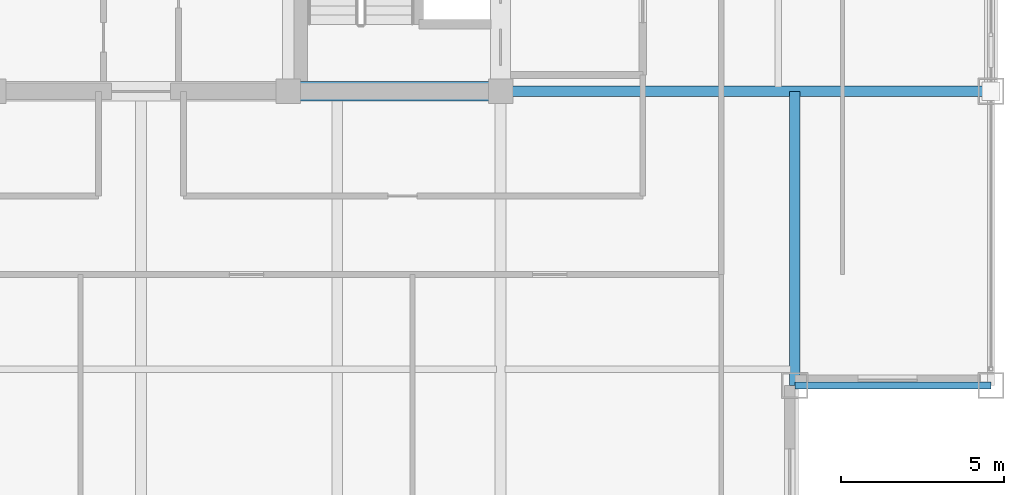
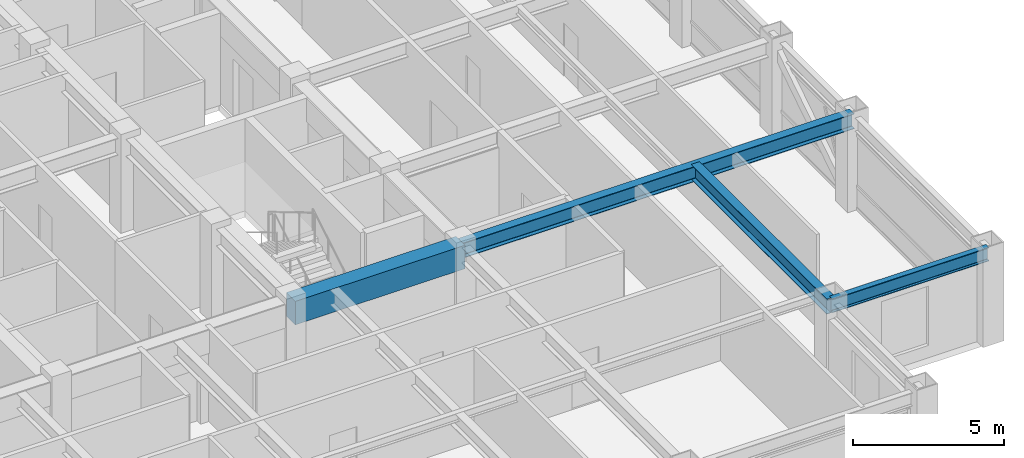
# One storey, part 9 of 28: 4 beams.
"""IFC4 building model written with IfcOpenShell, lengths in metres."""

from ifc_helpers import new_model, si_unit, direction, frame, origin, origin_2d, place, context, subcontext, project, spatial, rectangle, i_section, extrude, source, transform, mapped, material, material_profile, profile_set, type_object, element, save


model = new_model("IFC4")

# Units and contexts
model_context = context("Model", 3, precision=1e-05, world=origin(), true_north=direction((0.0, 1.0)))
body_context = subcontext(model_context, "Body", "Model", "MODEL_VIEW")
ifc_project = project(units=[si_unit("LENGTHUNIT", "METRE"), si_unit("AREAUNIT", "SQUARE_METRE"), si_unit("VOLUMEUNIT", "CUBIC_METRE"), si_unit("PLANEANGLEUNIT", "RADIAN"), si_unit("MASSUNIT", "GRAM", prefix="KILO")], contexts=[model_context])

# Site, building, storey
site_placement = place(None, origin())
site = spatial("IfcSite", under=ifc_project, at=site_placement, CompositionType="ELEMENT")
building_placement = place(site_placement, origin())
building = spatial("IfcBuilding", under=site, at=building_placement, Name="Khorayat Bourse Tower", CompositionType="ELEMENT")
storey_placement = place(building_placement, frame((0.0, 0.0, 334.300048828125)))
storey = spatial("IfcBuildingStorey", under=building, at=storey_placement, Name="L79", CompositionType="ELEMENT", Elevation=334.300048828125)

# Beams
ifc_material_1 = material(Name="Concrete C60/75", Category="concrete")
ifc_material_profile_1 = material_profile(ifc_material_1, rectangle(XDim=0.60009765625, YDim=0.949951171875, at=origin_2d()), Name="RC 600x950")
ifc_profile_set_1 = profile_set([ifc_material_profile_1], Name="Concrete C60/75")
beam_type_1 = type_object("IfcBeamType", Name="BM-COUP-950", PredefinedType="BEAM", material=ifc_profile_set_1)
shared_shape_1 = source(origin(), body_context, "Body", "SweptSolid", [
    extrude(rectangle(XDim=0.60009765625, YDim=0.949951171875, at=origin_2d()), origin(), (0.0, 0.0, 1.0), 6.5),
])
beam_1_placement = place(storey_placement, frame((4.5, -11.0, 3.264892578125), z_axis=(1.0, 0.0, 0.0), x_axis=(0.0, 1.0, 0.0)))
element("IfcBeam", 1, at=beam_1_placement, inside=storey, type_object=beam_type_1, Name="L79 BM-COUP-950 BM-L79-CRY-19", PredefinedType="BEAM", context=body_context, shape_type="MappedRepresentation", body=[
    mapped(shared_shape_1, transform((0.0, 0.0, 0.0), scale=1.0)),
])
ifc_material_2 = material(Name="Steel ASTM A992 Grade 50", Category="steel")
ifc_material_profile_2 = material_profile(ifc_material_2, i_section(OverallWidth=0.214111328125, OverallDepth=0.549072265625, WebThickness=0.0146484375, FlangeThickness=0.023681640625, FilletRadius=0.013916015625, at=origin_2d()), Name="W530X138")
ifc_profile_set_2 = profile_set([ifc_material_profile_2], Name="Steel ASTM A992 Grade 50")
beam_type_2 = type_object("IfcBeamType", Name="BM-SPAN-530", PredefinedType="SPANDREL", material=ifc_profile_set_2)
shared_shape_2 = source(origin(), body_context, "Body", "SweptSolid", [
    extrude(i_section(OverallWidth=0.214111328125, OverallDepth=0.549072265625, WebThickness=0.0146484375, FlangeThickness=0.023681640625, FilletRadius=0.013916015625, at=origin_2d()), origin(), (0.0, 0.0, 1.0), 6.0),
])
beam_2_placement = place(storey_placement, frame((20.0, -20.0, 3.46533203125), z_axis=(1.0, 0.0, 0.0), x_axis=(0.0, 1.0, 0.0)))
element("IfcBeam", 2, at=beam_2_placement, inside=storey, type_object=beam_type_2, Name="L79 BM-SPAN-530 BM-L79-SPN-031", PredefinedType="SPANDREL", context=body_context, shape_type="MappedRepresentation", body=[
    mapped(shared_shape_2, transform((0.0, 0.0, 0.0), scale=1.0)),
])
ifc_material_profile_3 = material_profile(ifc_material_2, i_section(OverallWidth=0.324951171875, OverallDepth=0.615966796875, WebThickness=0.013916015625, FlangeThickness=0.021484375, FilletRadius=0.01611328125, at=origin_2d()), Name="W610X174")
ifc_profile_set_3 = profile_set([ifc_material_profile_3], Name="Steel ASTM A992 Grade 50")
beam_type_3 = type_object("IfcBeamType", Name="BM-GIRD-610", PredefinedType="BEAM", material=ifc_profile_set_3)
shared_shape_3 = source(origin(), body_context, "Body", "SweptSolid", [
    extrude(i_section(OverallWidth=0.324951171875, OverallDepth=0.615966796875, WebThickness=0.013916015625, FlangeThickness=0.021484375, FilletRadius=0.01611328125, at=origin_2d()), origin(), (0.0, 0.0, 1.0), 15.0),
])
beam_3_placement = place(storey_placement, frame((11.0, -11.0, 3.431884765625), z_axis=(1.0, 0.0, 0.0), x_axis=(0.0, 1.0, 0.0)))
element("IfcBeam", 3, at=beam_3_placement, inside=storey, type_object=beam_type_3, Name="L79 BM-GIRD-610 BM-L79-RADX-066", PredefinedType="BEAM", context=body_context, shape_type="MappedRepresentation", body=[
    mapped(shared_shape_3, transform((0.0, 0.0, 0.0), scale=1.0)),
])
shared_shape_4 = source(origin(), body_context, "Body", "SweptSolid", [
    extrude(i_section(OverallWidth=0.324951171875, OverallDepth=0.615966796875, WebThickness=0.013916015625, FlangeThickness=0.021484375, FilletRadius=0.01611328125, at=origin_2d()), origin(), (0.0, 0.0, 1.0), 9.0),
])
beam_4_placement = place(storey_placement, frame((20.0, -20.0, 3.431884765625), z_axis=(0.0, 1.0, 0.0), x_axis=(-1.0, 0.0, 0.0)))
element("IfcBeam", 4, at=beam_4_placement, inside=storey, type_object=beam_type_3, Name="L79 BM-GIRD-610 BM-L79-CNRY-078", PredefinedType="BEAM", context=body_context, shape_type="MappedRepresentation", body=[
    mapped(shared_shape_4, transform((0.0, 0.0, 0.0), scale=1.0)),
])

save(model, "model.ifc")
